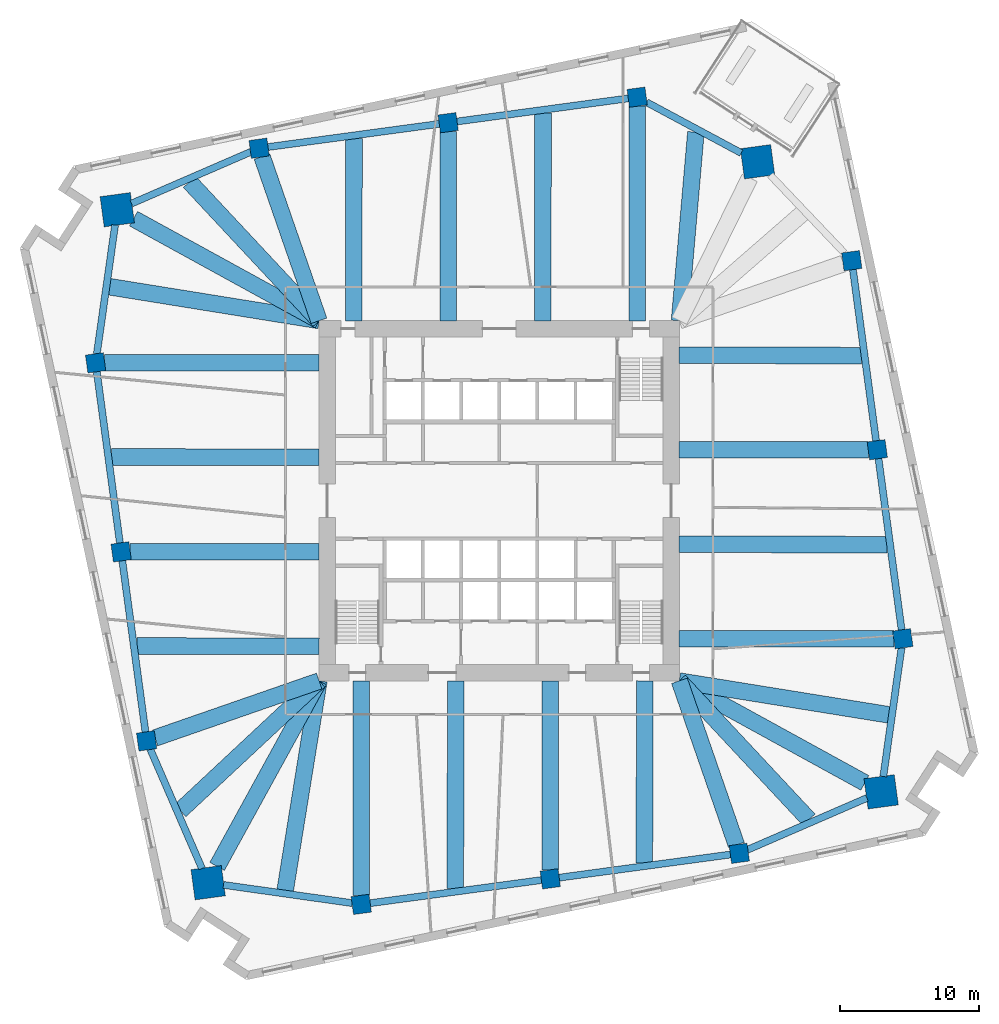
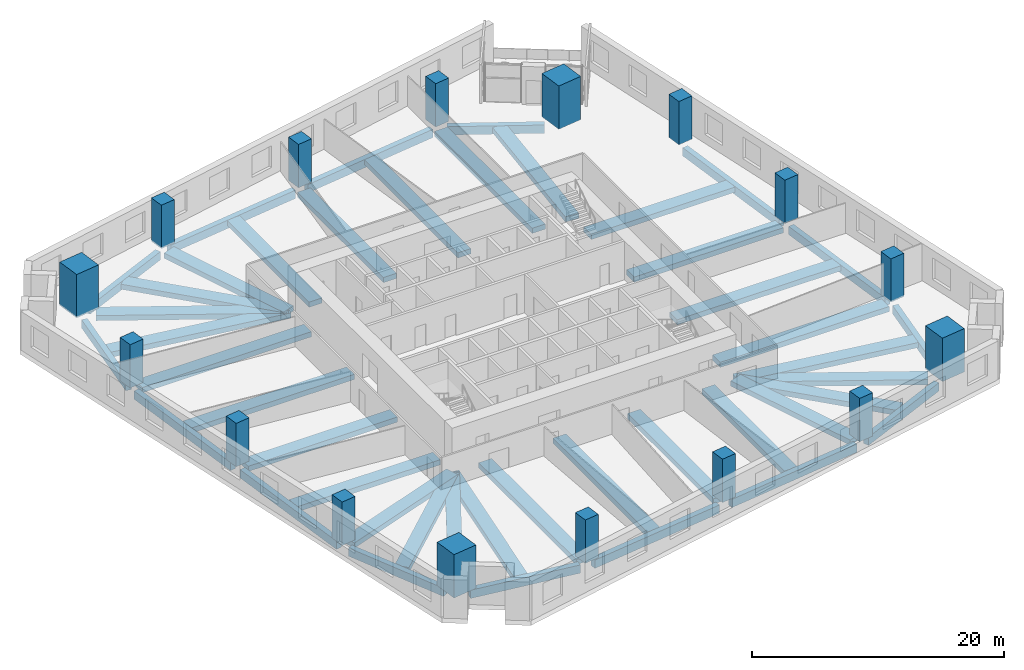
# One storey, part 1 of 10: 44 beams, 16 columns.
"""IFC4 building model written with IfcOpenShell, lengths in metres."""

from ifc_helpers import new_model, si_unit, direction, frame, origin, origin_2d, place, context, subcontext, project, spatial, rectangle, extrude, material, material_profile, profile_set, type_object, element, save


model = new_model("IFC4")

# Units and contexts
model_context = context("Model", 3, precision=1e-05, world=origin(), true_north=direction((0.0, 1.0)))
body_context = subcontext(model_context, "Body", "Model", "MODEL_VIEW")
ifc_project = project(units=[si_unit("LENGTHUNIT", "METRE"), si_unit("AREAUNIT", "SQUARE_METRE"), si_unit("VOLUMEUNIT", "CUBIC_METRE"), si_unit("PLANEANGLEUNIT", "RADIAN"), si_unit("MASSUNIT", "GRAM", prefix="KILO")], contexts=[model_context])

# Site, building, storey
site_placement = place(None, origin())
site = spatial("IfcSite", under=ifc_project, at=site_placement, CompositionType="ELEMENT")
building_placement = place(site_placement, origin())
building = spatial("IfcBuilding", under=site, at=building_placement, Name="Dilmun Exchange Tower", CompositionType="ELEMENT")
storey_placement = place(building_placement, frame((0.0, 0.0, 68.10009765625)))
storey = spatial("IfcBuildingStorey", under=building, at=storey_placement, Name="L15", CompositionType="ELEMENT", Elevation=68.10009765625)

# Columns
ifc_material_1 = material(Name="Concrete C80/95", Category="concrete")
ifc_material_profile_1 = material_profile(ifc_material_1, rectangle(XDim=2.199951171875, YDim=2.199951171875, at=origin_2d()), Name="2200 x 2200")
ifc_profile_set_1 = profile_set([ifc_material_profile_1], Name="Concrete C80/95")
column_type_1 = type_object("IfcColumnType", Name="RC mega column 2200 x 2200 C80/95", PredefinedType="COLUMN", material=ifc_profile_set_1)
for number, where, z_axis, x_axis, name in (
    (1, (18.6220703125, 24.43701171875, 0.0), (0.0, 0.0, 1.0), (0.991001197216, 0.133853005627, 0.0), "Mega column M1"),
    (2, (-27.531005859375, 20.97900390625, 0.0), (0.0, 0.0, 1.0), (0.991001197216, 0.133853005627, 0.0), "Mega column M2"),
    (3, (-20.97900390625, -27.531005859375, 0.0), (0.0, 0.0, 1.0), (0.991001197216, 0.133853005627, 0.0), "Mega column M3"),
    (4, (27.531005859375, -20.97900390625, 0.0), (0.0, 0.0, 1.0), (0.991001197216, 0.133853005627, 0.0), "Mega column M4"),
):
    element("IfcColumn", number, at=place(storey_placement, frame(where, z_axis=z_axis, x_axis=x_axis)), inside=storey, type_object=column_type_1, Name=name, PredefinedType="COLUMN", context=body_context, shape_type="SweptSolid", body=[
        extrude(rectangle(XDim=2.199951171875, YDim=2.199951171875, at=origin_2d()), origin(), (0.0, 0.0, 1.0), 4.199951171875),
    ])
ifc_material_profile_2 = material_profile(ifc_material_1, rectangle(XDim=1.300048828125, YDim=1.300048828125, at=origin_2d()), Name="1300 x 1300")
ifc_profile_set_2 = profile_set([ifc_material_profile_2], Name="Concrete C80/95")
column_type_2 = type_object("IfcColumnType", Name="RC ring column 1300 x 1300 C80/95", PredefinedType="COLUMN", material=ifc_profile_set_2)
for number, where, z_axis, x_axis, name in (
    (5, (9.945068359375, 29.093017578125, 0.0), (0.0, 0.0, 1.0), (0.991001197216, 0.133853005627, 0.0), "Ring column R01"),
    (6, (-3.680908203125, 27.2529296875, 0.0), (0.0, 0.0, 1.0), (0.991001197216, 0.133853005627, 0.0), "Ring column R02"),
    (7, (-17.306884765625, 25.412109375, 0.0), (0.0, 0.0, 1.0), (0.991001197216, 0.133853005627, 0.0), "Ring column R03"),
    (8, (-29.093017578125, 9.945068359375, 0.0), (0.0, 0.0, 1.0), (0.991001197216, 0.133853005627, 0.0), "Ring column R04"),
    (9, (-27.2529296875, -3.680908203125, 0.0), (0.0, 0.0, 1.0), (0.991001197216, 0.133853005627, 0.0), "Ring column R05"),
    (10, (-25.412109375, -17.306884765625, 0.0), (0.0, 0.0, 1.0), (0.991001197216, 0.133853005627, 0.0), "Ring column R06"),
    (11, (-9.945068359375, -29.093017578125, 0.0), (0.0, 0.0, 1.0), (0.991001197216, 0.133853005627, 0.0), "Ring column R07"),
    (12, (3.680908203125, -27.2529296875, 0.0), (0.0, 0.0, 1.0), (0.991001197216, 0.133853005627, 0.0), "Ring column R08"),
    (13, (17.306884765625, -25.412109375, 0.0), (0.0, 0.0, 1.0), (0.991001197216, 0.133853005627, 0.0), "Ring column R09"),
    (14, (29.093017578125, -9.945068359375, 0.0), (0.0, 0.0, 1.0), (0.991001197216, 0.133853005627, 0.0), "Ring column R10"),
    (15, (27.2529296875, 3.680908203125, 0.0), (0.0, 0.0, 1.0), (0.991001197216, 0.133853005627, 0.0), "Ring column R11"),
    (16, (25.412109375, 17.306884765625, 0.0), (0.0, 0.0, 1.0), (0.991001197216, 0.133853005627, 0.0), "Ring column R12"),
):
    element("IfcColumn", number, at=place(storey_placement, frame(where, z_axis=z_axis, x_axis=x_axis)), inside=storey, type_object=column_type_2, Name=name, PredefinedType="COLUMN", context=body_context, shape_type="SweptSolid", body=[
        extrude(rectangle(XDim=1.300048828125, YDim=1.300048828125, at=origin_2d()), origin(), (0.0, 0.0, 1.0), 4.199951171875),
    ])

# Beams
ifc_material_2 = material(Name="Concrete C40/50", Category="concrete")
ifc_material_profile_3 = material_profile(ifc_material_2, rectangle(XDim=1.199951171875, YDim=0.5, at=origin_2d()), Name="1200 x 500")
ifc_profile_set_3 = profile_set([ifc_material_profile_3], Name="Concrete C40/50")
beam_type_1 = type_object("IfcBeamType", Name="RC band beam 1200 x 500 C40/50", PredefinedType="BEAM", material=ifc_profile_set_3)
beam_1_placement = place(storey_placement, frame((9.945068359375, 28.464111328125, -0.7001953125), z_axis=(0.0, -1.0, 0.0), x_axis=(1.0, 0.0, 0.0)))
element("IfcBeam", 17, at=beam_1_placement, inside=storey, type_object=beam_type_1, Name="Band beam 2", PredefinedType="BEAM", context=body_context, shape_type="SweptSolid", body=[
    extrude(rectangle(XDim=1.199951171875, YDim=0.5, at=origin_2d()), origin(), (0.0, 0.0, 1.0), 15.4912109375),
])
beam_2_placement = place(storey_placement, frame((-3.680908203125, 26.6240234375, -0.7001953125), z_axis=(0.0, -1.0, 0.0), x_axis=(1.0, 0.0, 0.0)))
element("IfcBeam", 18, at=beam_2_placement, inside=storey, type_object=beam_type_1, Name="Band beam 3", PredefinedType="BEAM", context=body_context, shape_type="SweptSolid", body=[
    extrude(rectangle(XDim=1.199951171875, YDim=0.5, at=origin_2d()), origin(), (0.0, 0.0, 1.0), 13.651123046875),
])
beam_3_placement = place(storey_placement, frame((-17.098388671875, 24.81103515625, -0.7001953125), z_axis=(0.327819910959, -0.94474023201, 0.0), x_axis=(0.94474023201, 0.327819910959, 0.0)))
element("IfcBeam", 19, at=beam_3_placement, inside=storey, type_object=beam_type_1, Name="Band beam 4", PredefinedType="BEAM", context=body_context, shape_type="SweptSolid", body=[
    extrude(rectangle(XDim=1.199951171875, YDim=0.5, at=origin_2d()), origin(), (0.0, 0.0, 1.0), 12.52880859375),
])
beam_4_placement = place(storey_placement, frame((-26.355712890625, 20.333740234375, -0.7001953125), z_axis=(0.876547324806, -0.481315683699, 0.0), x_axis=(0.481315683699, 0.876547324806, 0.0)))
element("IfcBeam", 20, at=beam_4_placement, inside=storey, type_object=beam_type_1, Name="Band beam 5", PredefinedType="BEAM", context=body_context, shape_type="SweptSolid", body=[
    extrude(rectangle(XDim=1.199951171875, YDim=0.5, at=origin_2d()), origin(), (0.0, 0.0, 1.0), 15.263671875),
])
beam_5_placement = place(storey_placement, frame((-28.464111328125, 9.945068359375, -0.7001953125), z_axis=(1.0, 0.0, 0.0), x_axis=(0.0, 1.0, 0.0)))
element("IfcBeam", 21, at=beam_5_placement, inside=storey, type_object=beam_type_1, Name="Band beam 6", PredefinedType="BEAM", context=body_context, shape_type="SweptSolid", body=[
    extrude(rectangle(XDim=1.199951171875, YDim=0.5, at=origin_2d()), origin(), (0.0, 0.0, 1.0), 15.4912109375),
])
beam_6_placement = place(storey_placement, frame((-26.6240234375, -3.680908203125, -0.7001953125), z_axis=(1.0, 0.0, 0.0), x_axis=(0.0, 1.0, 0.0)))
element("IfcBeam", 22, at=beam_6_placement, inside=storey, type_object=beam_type_1, Name="Band beam 7", PredefinedType="BEAM", context=body_context, shape_type="SweptSolid", body=[
    extrude(rectangle(XDim=1.199951171875, YDim=0.5, at=origin_2d()), origin(), (0.0, 0.0, 1.0), 13.651123046875),
])
beam_7_placement = place(storey_placement, frame((-24.81103515625, -17.098388671875, -0.7001953125), z_axis=(0.94474023201, 0.327819910959, 0.0), x_axis=(-0.327819910959, 0.94474023201, 0.0)))
element("IfcBeam", 23, at=beam_7_placement, inside=storey, type_object=beam_type_1, Name="Band beam 8", PredefinedType="BEAM", context=body_context, shape_type="SweptSolid", body=[
    extrude(rectangle(XDim=1.199951171875, YDim=0.5, at=origin_2d()), origin(), (0.0, 0.0, 1.0), 12.52880859375),
])
beam_8_placement = place(storey_placement, frame((-20.333740234375, -26.355712890625, -0.7001953125), z_axis=(0.481315683699, 0.876547324806, 0.0), x_axis=(-0.876547324806, 0.481315683699, 0.0)))
element("IfcBeam", 24, at=beam_8_placement, inside=storey, type_object=beam_type_1, Name="Band beam 9", PredefinedType="BEAM", context=body_context, shape_type="SweptSolid", body=[
    extrude(rectangle(XDim=1.199951171875, YDim=0.5, at=origin_2d()), origin(), (0.0, 0.0, 1.0), 15.263671875),
])
beam_9_placement = place(storey_placement, frame((-9.945068359375, -28.464111328125, -0.7001953125), z_axis=(0.0, 1.0, 0.0), x_axis=(-1.0, 0.0, 0.0)))
element("IfcBeam", 25, at=beam_9_placement, inside=storey, type_object=beam_type_1, Name="Band beam 10", PredefinedType="BEAM", context=body_context, shape_type="SweptSolid", body=[
    extrude(rectangle(XDim=1.199951171875, YDim=0.5, at=origin_2d()), origin(), (0.0, 0.0, 1.0), 15.4912109375),
])
beam_10_placement = place(storey_placement, frame((3.680908203125, -26.6240234375, -0.7001953125), z_axis=(0.0, 1.0, 0.0), x_axis=(-1.0, 0.0, 0.0)))
element("IfcBeam", 26, at=beam_10_placement, inside=storey, type_object=beam_type_1, Name="Band beam 11", PredefinedType="BEAM", context=body_context, shape_type="SweptSolid", body=[
    extrude(rectangle(XDim=1.199951171875, YDim=0.5, at=origin_2d()), origin(), (0.0, 0.0, 1.0), 13.651123046875),
])
beam_11_placement = place(storey_placement, frame((17.098388671875, -24.81103515625, -0.7001953125), z_axis=(-0.327819910959, 0.94474023201, 0.0), x_axis=(-0.94474023201, -0.327819910959, 0.0)))
element("IfcBeam", 27, at=beam_11_placement, inside=storey, type_object=beam_type_1, Name="Band beam 12", PredefinedType="BEAM", context=body_context, shape_type="SweptSolid", body=[
    extrude(rectangle(XDim=1.199951171875, YDim=0.5, at=origin_2d()), origin(), (0.0, 0.0, 1.0), 12.52880859375),
])
beam_12_placement = place(storey_placement, frame((26.355712890625, -20.333740234375, -0.7001953125), z_axis=(-0.876547324806, 0.481315683699, 0.0), x_axis=(-0.481315683699, -0.876547324806, 0.0)))
element("IfcBeam", 28, at=beam_12_placement, inside=storey, type_object=beam_type_1, Name="Band beam 13", PredefinedType="BEAM", context=body_context, shape_type="SweptSolid", body=[
    extrude(rectangle(XDim=1.199951171875, YDim=0.5, at=origin_2d()), origin(), (0.0, 0.0, 1.0), 15.263671875),
])
beam_13_placement = place(storey_placement, frame((28.464111328125, -9.945068359375, -0.7001953125), z_axis=(-1.0, 0.0, 0.0), x_axis=(0.0, -1.0, 0.0)))
element("IfcBeam", 29, at=beam_13_placement, inside=storey, type_object=beam_type_1, Name="Band beam 14", PredefinedType="BEAM", context=body_context, shape_type="SweptSolid", body=[
    extrude(rectangle(XDim=1.199951171875, YDim=0.5, at=origin_2d()), origin(), (0.0, 0.0, 1.0), 15.4912109375),
])
beam_14_placement = place(storey_placement, frame((26.6240234375, 3.680908203125, -0.7001953125), z_axis=(-1.0, 0.0, 0.0), x_axis=(0.0, -1.0, 0.0)))
element("IfcBeam", 30, at=beam_14_placement, inside=storey, type_object=beam_type_1, Name="Band beam 15", PredefinedType="BEAM", context=body_context, shape_type="SweptSolid", body=[
    extrude(rectangle(XDim=1.199951171875, YDim=0.5, at=origin_2d()), origin(), (0.0, 0.0, 1.0), 13.651123046875),
])
beam_15_placement = place(storey_placement, frame((14.177978515625, 26.568603515625, -0.7001953125), z_axis=(-0.086499148019, -0.996251924662, 0.0), x_axis=(0.996251924662, -0.086499148019, 0.0)))
element("IfcBeam", 31, at=beam_15_placement, inside=storey, type_object=beam_type_1, Name="Band beam 17", PredefinedType="BEAM", context=body_context, shape_type="SweptSolid", body=[
    extrude(rectangle(XDim=1.199951171875, YDim=0.5, at=origin_2d()), origin(), (0.0, 0.0, 1.0), 13.646728515625),
])
beam_16_placement = place(storey_placement, frame((3.161865234375, 27.951904296875, -0.7001953125), z_axis=(-0.001988456479, -0.999998023018, 0.0), x_axis=(0.999998023018, -0.001988456479, 0.0)))
element("IfcBeam", 32, at=beam_16_placement, inside=storey, type_object=beam_type_1, Name="Band beam 18", PredefinedType="BEAM", context=body_context, shape_type="SweptSolid", body=[
    extrude(rectangle(XDim=1.199951171875, YDim=0.5, at=origin_2d()), origin(), (0.0, 0.0, 1.0), 14.97900390625),
])
beam_17_placement = place(storey_placement, frame((-10.464111328125, 26.111572265625, -0.7001953125), z_axis=(-0.002266977971, -0.999997430402, 0.0), x_axis=(0.999997430402, -0.002266977971, 0.0)))
element("IfcBeam", 33, at=beam_17_placement, inside=storey, type_object=beam_type_1, Name="Band beam 19", PredefinedType="BEAM", context=body_context, shape_type="SweptSolid", body=[
    extrude(rectangle(XDim=1.199951171875, YDim=0.5, at=origin_2d()), origin(), (0.0, 0.0, 1.0), 13.138671875),
])
beam_18_placement = place(storey_placement, frame((-22.330322265625, 22.990966796875, -0.7001953125), z_axis=(0.682523984798, -0.730863195253, 0.0), x_axis=(0.730863195253, 0.682523984798, 0.0)))
element("IfcBeam", 34, at=beam_18_placement, inside=storey, type_object=beam_type_1, Name="Band beam 20", PredefinedType="BEAM", context=body_context, shape_type="SweptSolid", body=[
    extrude(rectangle(XDim=1.199951171875, YDim=0.5, at=origin_2d()), origin(), (0.0, 0.0, 1.0), 13.697265625),
])
beam_19_placement = place(storey_placement, frame((-28.09130859375, 15.4306640625, -0.7001953125), z_axis=(0.98727513595, -0.159021400868, 0.0), x_axis=(0.159021400868, 0.98727513595, 0.0)))
element("IfcBeam", 35, at=beam_19_placement, inside=storey, type_object=beam_type_1, Name="Band beam 21", PredefinedType="BEAM", context=body_context, shape_type="SweptSolid", body=[
    extrude(rectangle(XDim=1.199951171875, YDim=0.5, at=origin_2d()), origin(), (0.0, 0.0, 1.0), 15.312744140625),
])
beam_20_placement = place(storey_placement, frame((-27.951904296875, 3.161865234375, -0.7001953125), z_axis=(0.999998023018, -0.001988456479, 0.0), x_axis=(0.001988456479, 0.999998023018, 0.0)))
element("IfcBeam", 36, at=beam_20_placement, inside=storey, type_object=beam_type_1, Name="Band beam 22", PredefinedType="BEAM", context=body_context, shape_type="SweptSolid", body=[
    extrude(rectangle(XDim=1.199951171875, YDim=0.5, at=origin_2d()), origin(), (0.0, 0.0, 1.0), 14.97900390625),
])
beam_21_placement = place(storey_placement, frame((-26.111572265625, -10.464111328125, -0.7001953125), z_axis=(0.999997430402, -0.002266977971, 0.0), x_axis=(0.002266977971, 0.999997430402, 0.0)))
element("IfcBeam", 37, at=beam_21_placement, inside=storey, type_object=beam_type_1, Name="Band beam 23", PredefinedType="BEAM", context=body_context, shape_type="SweptSolid", body=[
    extrude(rectangle(XDim=1.199951171875, YDim=0.5, at=origin_2d()), origin(), (0.0, 0.0, 1.0), 13.138671875),
])
beam_22_placement = place(storey_placement, frame((-22.990966796875, -22.330322265625, -0.7001953125), z_axis=(0.730863195253, 0.682523984798, 0.0), x_axis=(-0.682523984798, 0.730863195253, 0.0)))
element("IfcBeam", 38, at=beam_22_placement, inside=storey, type_object=beam_type_1, Name="Band beam 24", PredefinedType="BEAM", context=body_context, shape_type="SweptSolid", body=[
    extrude(rectangle(XDim=1.199951171875, YDim=0.5, at=origin_2d()), origin(), (0.0, 0.0, 1.0), 13.697265625),
])
beam_23_placement = place(storey_placement, frame((-15.4306640625, -28.09130859375, -0.7001953125), z_axis=(0.159021400868, 0.98727513595, 0.0), x_axis=(-0.98727513595, 0.159021400868, 0.0)))
element("IfcBeam", 39, at=beam_23_placement, inside=storey, type_object=beam_type_1, Name="Band beam 25", PredefinedType="BEAM", context=body_context, shape_type="SweptSolid", body=[
    extrude(rectangle(XDim=1.199951171875, YDim=0.5, at=origin_2d()), origin(), (0.0, 0.0, 1.0), 15.312744140625),
])
beam_24_placement = place(storey_placement, frame((-3.161865234375, -27.951904296875, -0.7001953125), z_axis=(0.001988456479, 0.999998023018, 0.0), x_axis=(-0.999998023018, 0.001988456479, 0.0)))
element("IfcBeam", 40, at=beam_24_placement, inside=storey, type_object=beam_type_1, Name="Band beam 26", PredefinedType="BEAM", context=body_context, shape_type="SweptSolid", body=[
    extrude(rectangle(XDim=1.199951171875, YDim=0.5, at=origin_2d()), origin(), (0.0, 0.0, 1.0), 14.97900390625),
])
beam_25_placement = place(storey_placement, frame((10.464111328125, -26.111572265625, -0.7001953125), z_axis=(0.002266977971, 0.999997430402, 0.0), x_axis=(-0.999997430402, 0.002266977971, 0.0)))
element("IfcBeam", 41, at=beam_25_placement, inside=storey, type_object=beam_type_1, Name="Band beam 27", PredefinedType="BEAM", context=body_context, shape_type="SweptSolid", body=[
    extrude(rectangle(XDim=1.199951171875, YDim=0.5, at=origin_2d()), origin(), (0.0, 0.0, 1.0), 13.138671875),
])
beam_26_placement = place(storey_placement, frame((22.330322265625, -22.990966796875, -0.7001953125), z_axis=(-0.682523984798, 0.730863195253, 0.0), x_axis=(-0.730863195253, -0.682523984798, 0.0)))
element("IfcBeam", 42, at=beam_26_placement, inside=storey, type_object=beam_type_1, Name="Band beam 28", PredefinedType="BEAM", context=body_context, shape_type="SweptSolid", body=[
    extrude(rectangle(XDim=1.199951171875, YDim=0.5, at=origin_2d()), origin(), (0.0, 0.0, 1.0), 13.697265625),
])
beam_27_placement = place(storey_placement, frame((28.09130859375, -15.4306640625, -0.7001953125), z_axis=(-0.98727513595, 0.159021400868, 0.0), x_axis=(-0.159021400868, -0.98727513595, 0.0)))
element("IfcBeam", 43, at=beam_27_placement, inside=storey, type_object=beam_type_1, Name="Band beam 29", PredefinedType="BEAM", context=body_context, shape_type="SweptSolid", body=[
    extrude(rectangle(XDim=1.199951171875, YDim=0.5, at=origin_2d()), origin(), (0.0, 0.0, 1.0), 15.312744140625),
])
beam_28_placement = place(storey_placement, frame((27.951904296875, -3.161865234375, -0.7001953125), z_axis=(-0.999998023018, 0.001988456479, 0.0), x_axis=(-0.001988456479, -0.999998023018, 0.0)))
element("IfcBeam", 44, at=beam_28_placement, inside=storey, type_object=beam_type_1, Name="Band beam 30", PredefinedType="BEAM", context=body_context, shape_type="SweptSolid", body=[
    extrude(rectangle(XDim=1.199951171875, YDim=0.5, at=origin_2d()), origin(), (0.0, 0.0, 1.0), 14.97900390625),
])
beam_29_placement = place(storey_placement, frame((26.111572265625, 10.464111328125, -0.7001953125), z_axis=(-0.999997430402, 0.002266977971, 0.0), x_axis=(-0.002266977971, -0.999997430402, 0.0)))
element("IfcBeam", 45, at=beam_29_placement, inside=storey, type_object=beam_type_1, Name="Band beam 31", PredefinedType="BEAM", context=body_context, shape_type="SweptSolid", body=[
    extrude(rectangle(XDim=1.199951171875, YDim=0.5, at=origin_2d()), origin(), (0.0, 0.0, 1.0), 13.138671875),
])
ifc_material_profile_4 = material_profile(ifc_material_2, rectangle(XDim=0.5, YDim=0.800048828125, at=origin_2d()), Name="500 x 800")
ifc_profile_set_4 = profile_set([ifc_material_profile_4], Name="Concrete C40/50")
beam_type_2 = type_object("IfcBeamType", Name="RC ring beam 500 x 800 C40/50", PredefinedType="SPANDREL", material=ifc_profile_set_4)
beam_30_placement = place(storey_placement, frame((17.44921875, 25.06640625, -0.85009765625), z_axis=(-0.881161870548, 0.472814718354, 0.0), x_axis=(-0.472814718354, -0.881161870548, 0.0)))
element("IfcBeam", 46, at=beam_30_placement, inside=storey, type_object=beam_type_2, Name="Ring beam 1", PredefinedType="SPANDREL", context=body_context, shape_type="SweptSolid", body=[
    extrude(rectangle(XDim=0.5, YDim=0.800048828125, at=origin_2d()), origin(), (0.0, 0.0, 1.0), 7.74072265625),
])
for number, where, z_axis, x_axis, name in (
    (47, (9.32763671875, 29.009521484375, -0.85009765625), (-0.991007411355, -0.133806990248, 0.0), (0.133806990248, -0.991007411355, 0.0), "Ring beam 2"),
    (48, (-4.29833984375, 27.169677734375, -0.85009765625), (-0.990994461239, -0.133902867012, 0.0), (0.133902867012, -0.990994461239, 0.0), "Ring beam 3"),
):
    element("IfcBeam", number, at=place(storey_placement, frame(where, z_axis=z_axis, x_axis=x_axis)), inside=storey, type_object=beam_type_2, Name=name, PredefinedType="SPANDREL", context=body_context, shape_type="SweptSolid", body=[
        extrude(rectangle(XDim=0.5, YDim=0.800048828125, at=origin_2d()), origin(), (0.0, 0.0, 1.0), 12.50390625),
    ])
beam_31_placement = place(storey_placement, frame((-17.90185546875, 25.154052734375, -0.85009765625), z_axis=(-0.917467286901, -0.397811233459, 0.0), x_axis=(0.397811233459, -0.917467286901, 0.0)))
element("IfcBeam", 49, at=beam_31_placement, inside=storey, type_object=beam_type_2, Name="Ring beam 4", PredefinedType="SPANDREL", context=body_context, shape_type="SweptSolid", body=[
    extrude(rectangle(XDim=0.5, YDim=0.800048828125, at=origin_2d()), origin(), (0.0, 0.0, 1.0), 9.37939453125),
])
beam_32_placement = place(storey_placement, frame((-27.6875, 19.8740234375, -0.85009765625), z_axis=(-0.140164060375, -0.990128292788, 0.0), x_axis=(0.990128292788, -0.140164060375, 0.0)))
element("IfcBeam", 50, at=beam_32_placement, inside=storey, type_object=beam_type_2, Name="Ring beam 5", PredefinedType="SPANDREL", context=body_context, shape_type="SweptSolid", body=[
    extrude(rectangle(XDim=0.5, YDim=0.800048828125, at=origin_2d()), origin(), (0.0, 0.0, 1.0), 9.379638671875),
])
for number, where, z_axis, x_axis, name in (
    (51, (-29.009521484375, 9.32763671875, -0.85009765625), (0.133806990248, -0.991007411355, 0.0), (0.991007411355, 0.133806990248, 0.0), "Ring beam 6"),
    (52, (-27.169677734375, -4.29833984375, -0.85009765625), (0.133902867012, -0.990994461239, 0.0), (0.990994461239, 0.133902867012, 0.0), "Ring beam 7"),
):
    element("IfcBeam", number, at=place(storey_placement, frame(where, z_axis=z_axis, x_axis=x_axis)), inside=storey, type_object=beam_type_2, Name=name, PredefinedType="SPANDREL", context=body_context, shape_type="SweptSolid", body=[
        extrude(rectangle(XDim=0.5, YDim=0.800048828125, at=origin_2d()), origin(), (0.0, 0.0, 1.0), 12.50390625),
    ])
beam_33_placement = place(storey_placement, frame((-25.154052734375, -17.90185546875, -0.85009765625), z_axis=(0.397811233459, -0.917467286901, 0.0), x_axis=(0.917467286901, 0.397811233459, 0.0)))
element("IfcBeam", 53, at=beam_33_placement, inside=storey, type_object=beam_type_2, Name="Ring beam 8", PredefinedType="SPANDREL", context=body_context, shape_type="SweptSolid", body=[
    extrude(rectangle(XDim=0.5, YDim=0.800048828125, at=origin_2d()), origin(), (0.0, 0.0, 1.0), 9.37939453125),
])
beam_34_placement = place(storey_placement, frame((-19.8740234375, -27.6875, -0.85009765625), z_axis=(0.990128292788, -0.140164060375, 0.0), x_axis=(0.140164060375, 0.990128292788, 0.0)))
element("IfcBeam", 54, at=beam_34_placement, inside=storey, type_object=beam_type_2, Name="Ring beam 9", PredefinedType="SPANDREL", context=body_context, shape_type="SweptSolid", body=[
    extrude(rectangle(XDim=0.5, YDim=0.800048828125, at=origin_2d()), origin(), (0.0, 0.0, 1.0), 9.379638671875),
])
for number, where, z_axis, x_axis, name in (
    (55, (-9.32763671875, -29.009521484375, -0.85009765625), (0.991007411355, 0.133806990248, 0.0), (-0.133806990248, 0.991007411355, 0.0), "Ring beam 10"),
    (56, (4.29833984375, -27.169677734375, -0.85009765625), (0.990994461239, 0.133902867012, 0.0), (-0.133902867012, 0.990994461239, 0.0), "Ring beam 11"),
):
    element("IfcBeam", number, at=place(storey_placement, frame(where, z_axis=z_axis, x_axis=x_axis)), inside=storey, type_object=beam_type_2, Name=name, PredefinedType="SPANDREL", context=body_context, shape_type="SweptSolid", body=[
        extrude(rectangle(XDim=0.5, YDim=0.800048828125, at=origin_2d()), origin(), (0.0, 0.0, 1.0), 12.50390625),
    ])
beam_35_placement = place(storey_placement, frame((17.90185546875, -25.154052734375, -0.85009765625), z_axis=(0.917467286901, 0.397811233459, 0.0), x_axis=(-0.397811233459, 0.917467286901, 0.0)))
element("IfcBeam", 57, at=beam_35_placement, inside=storey, type_object=beam_type_2, Name="Ring beam 12", PredefinedType="SPANDREL", context=body_context, shape_type="SweptSolid", body=[
    extrude(rectangle(XDim=0.5, YDim=0.800048828125, at=origin_2d()), origin(), (0.0, 0.0, 1.0), 9.37939453125),
])
beam_36_placement = place(storey_placement, frame((27.6875, -19.8740234375, -0.85009765625), z_axis=(0.140164060375, 0.990128292788, 0.0), x_axis=(-0.990128292788, 0.140164060375, 0.0)))
element("IfcBeam", 58, at=beam_36_placement, inside=storey, type_object=beam_type_2, Name="Ring beam 13", PredefinedType="SPANDREL", context=body_context, shape_type="SweptSolid", body=[
    extrude(rectangle(XDim=0.5, YDim=0.800048828125, at=origin_2d()), origin(), (0.0, 0.0, 1.0), 9.379638671875),
])
for number, where, z_axis, x_axis, name in (
    (59, (29.009521484375, -9.32763671875, -0.85009765625), (-0.133806990248, 0.991007411355, 0.0), (-0.991007411355, -0.133806990248, 0.0), "Ring beam 14"),
    (60, (27.169677734375, 4.29833984375, -0.85009765625), (-0.133902867012, 0.990994461239, 0.0), (-0.990994461239, -0.133902867012, 0.0), "Ring beam 15"),
):
    element("IfcBeam", number, at=place(storey_placement, frame(where, z_axis=z_axis, x_axis=x_axis)), inside=storey, type_object=beam_type_2, Name=name, PredefinedType="SPANDREL", context=body_context, shape_type="SweptSolid", body=[
        extrude(rectangle(XDim=0.5, YDim=0.800048828125, at=origin_2d()), origin(), (0.0, 0.0, 1.0), 12.50390625),
    ])

save(model, "model.ifc")
